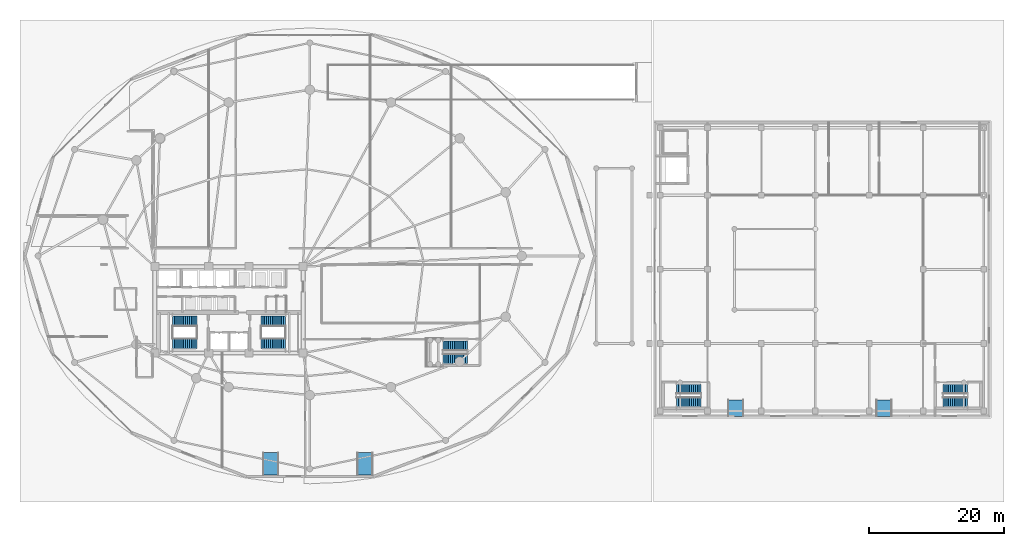
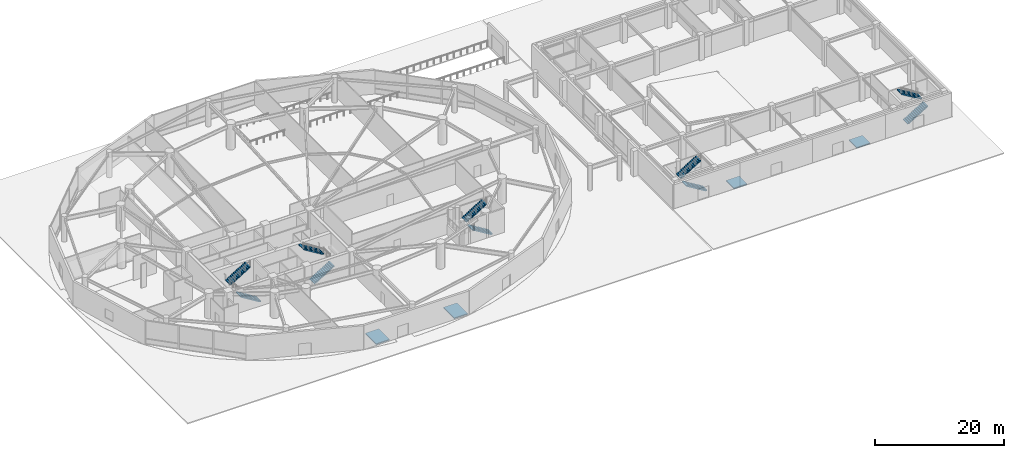
# One storey, part 27 of 35: 10 stair flights, 4 ramp flights, 9 elements without a shape of their own.
"""IFC4 building model written with IfcOpenShell, lengths in metres."""

from ifc_helpers import new_model, si_unit, direction, frame, origin, place, context, subcontext, project, spatial, polyline, outline, extrude, material, layer, layer_set, type_object, element, aggregate, save


model = new_model("IFC4")

# Units and contexts
model_context = context("Model", 3, precision=1e-05, world=origin(), true_north=direction((0.0, 1.0)))
body_context = subcontext(model_context, "Body", "Model", "MODEL_VIEW")
ifc_project = project(units=[si_unit("LENGTHUNIT", "METRE"), si_unit("AREAUNIT", "SQUARE_METRE"), si_unit("VOLUMEUNIT", "CUBIC_METRE"), si_unit("PLANEANGLEUNIT", "RADIAN"), si_unit("MASSUNIT", "GRAM", prefix="KILO")], contexts=[model_context])

# Site, building, storey
site_placement = place(None, origin())
site = spatial("IfcSite", under=ifc_project, at=site_placement, CompositionType="ELEMENT")
building_placement = place(site_placement, origin())
building = spatial("IfcBuilding", under=site, at=building_placement, Name="Kazevale Care Tower and Concert Hall", CompositionType="ELEMENT")
storey_placement = place(building_placement, origin())
storey = spatial("IfcBuildingStorey", under=building, at=storey_placement, Name="L00", CompositionType="ELEMENT", Elevation=0.0)

# Stair, stair flights
ifc_material = material(Name="Concrete C40", Category="concrete")
stair_type_1 = type_object("IfcStairType", Name="Exit Stair Assembly ST1-P", PredefinedType="HALF_TURN_STAIR", material=ifc_material)
stair_1_placement = place(storey_placement, origin())
stair_1 = element("IfcStair", 1, at=stair_1_placement, inside=storey, type_object=stair_type_1, Name="stair:L00:ST1", PredefinedType="HALF_TURN_STAIR")
ifc_layer_1 = layer(ifc_material, 0.159912109375)
ifc_layer_set_1 = layer_set([ifc_layer_1], Name="Concrete C40")
stair_flight_type_1 = type_object("IfcStairFlightType", Name="Exit Stair Flight ST1-P", PredefinedType="STRAIGHT", material=ifc_layer_set_1)
stair_flight_1_placement = place(storey_placement, frame((28.25, 25.0, 0.0), z_axis=(0.0, 0.0, 1.0), x_axis=(-1.0, 0.0, 0.0)))
stair_flight_1 = element("IfcStairFlight", 2, at=stair_flight_1_placement, type_object=stair_flight_type_1, Name="ST1-P flight 1", NumberOfRisers=14, NumberOfTreads=13, PredefinedType="STRAIGHT", RiserHeight=0.171429, TreadLength=0.28, context=body_context, shape_type="SweptSolid", body=[
    extrude(outline(polyline([(0.0, 0.0), (0.0, 0.17138671875), (0.280029296875, 0.17138671875), (0.280029296875, 0.3427734375), (0.56005859375, 0.3427734375), (0.56005859375, 0.514404296875), (0.840087890625, 0.514404296875), (0.840087890625, 0.685791015625), (1.1201171875, 0.685791015625), (1.1201171875, 0.857177734375), (1.39990234375, 0.857177734375), (1.39990234375, 1.028564453125), (1.679931640625, 1.028564453125), (1.679931640625, 1.199951171875), (1.9599609375, 1.199951171875), (1.9599609375, 1.371337890625), (2.239990234375, 1.371337890625), (2.239990234375, 1.54296875), (2.52001953125, 1.54296875), (2.52001953125, 1.71435546875), (2.800048828125, 1.71435546875), (2.800048828125, 1.8857421875), (3.080078125, 1.8857421875), (3.080078125, 2.05712890625), (3.360107421875, 2.05712890625), (3.360107421875, 2.228515625), (3.639892578125, 2.228515625), (3.639892578125, 2.39990234375), (3.639892578125, 2.041015625), (0.30615234375, 0.0), (0.0, 0.0)])), frame((0.0, 0.75, 0.0), z_axis=(0.0, -1.0, 0.0), x_axis=(1.0, 0.0, 0.0)), (0.0, 0.0, 1.0), 1.5),
])
stair_flight_2_placement = place(storey_placement, frame((24.610107421875, 28.300048828125, 2.39990234375), z_axis=(0.0, 0.0, 1.0), x_axis=(1.0, 0.0, 0.0)))
stair_flight_2 = element("IfcStairFlight", 3, at=stair_flight_2_placement, type_object=stair_flight_type_1, Name="ST1-P flight 2", NumberOfRisers=14, NumberOfTreads=13, PredefinedType="STRAIGHT", RiserHeight=0.171429, TreadLength=0.28, context=body_context, shape_type="SweptSolid", body=[
    extrude(outline(polyline([(0.0, 0.0), (0.0, 0.17138671875), (0.280029296875, 0.17138671875), (0.280029296875, 0.3427734375), (0.56005859375, 0.3427734375), (0.56005859375, 0.514404296875), (0.840087890625, 0.514404296875), (0.840087890625, 0.685791015625), (1.1201171875, 0.685791015625), (1.1201171875, 0.857177734375), (1.39990234375, 0.857177734375), (1.39990234375, 1.028564453125), (1.679931640625, 1.028564453125), (1.679931640625, 1.199951171875), (1.9599609375, 1.199951171875), (1.9599609375, 1.371337890625), (2.239990234375, 1.371337890625), (2.239990234375, 1.54296875), (2.52001953125, 1.54296875), (2.52001953125, 1.71435546875), (2.800048828125, 1.71435546875), (2.800048828125, 1.8857421875), (3.080078125, 1.8857421875), (3.080078125, 2.05712890625), (3.360107421875, 2.05712890625), (3.360107421875, 2.228515625), (3.639892578125, 2.228515625), (3.639892578125, 2.39990234375), (3.639892578125, 2.041015625), (0.30615234375, 0.0), (0.0, 0.0)])), frame((0.0, 0.75, 0.0), z_axis=(0.0, -1.0, 0.0), x_axis=(1.0, 0.0, 0.0)), (0.0, 0.0, 1.0), 1.5),
])
aggregate(stair_1, [stair_flight_1, stair_flight_2])

stair_2_placement = place(storey_placement, origin())
stair_2 = element("IfcStair", 4, at=stair_2_placement, inside=storey, type_object=stair_type_1, Name="stair:L00:ST2", PredefinedType="HALF_TURN_STAIR")
stair_flight_3_placement = place(storey_placement, frame((37.75, 25.0, 0.0), z_axis=(0.0, 0.0, 1.0), x_axis=(1.0, 0.0, 0.0)))
stair_flight_3 = element("IfcStairFlight", 5, at=stair_flight_3_placement, type_object=stair_flight_type_1, Name="ST1-P flight 1", NumberOfRisers=14, NumberOfTreads=13, PredefinedType="STRAIGHT", RiserHeight=0.171429, TreadLength=0.28, context=body_context, shape_type="SweptSolid", body=[
    extrude(outline(polyline([(0.0, 0.0), (0.0, 0.17138671875), (0.280029296875, 0.17138671875), (0.280029296875, 0.3427734375), (0.56005859375, 0.3427734375), (0.56005859375, 0.514404296875), (0.840087890625, 0.514404296875), (0.840087890625, 0.685791015625), (1.1201171875, 0.685791015625), (1.1201171875, 0.857177734375), (1.39990234375, 0.857177734375), (1.39990234375, 1.028564453125), (1.679931640625, 1.028564453125), (1.679931640625, 1.199951171875), (1.9599609375, 1.199951171875), (1.9599609375, 1.371337890625), (2.239990234375, 1.371337890625), (2.239990234375, 1.54296875), (2.52001953125, 1.54296875), (2.52001953125, 1.71435546875), (2.800048828125, 1.71435546875), (2.800048828125, 1.8857421875), (3.080078125, 1.8857421875), (3.080078125, 2.05712890625), (3.360107421875, 2.05712890625), (3.360107421875, 2.228515625), (3.639892578125, 2.228515625), (3.639892578125, 2.39990234375), (3.639892578125, 2.041015625), (0.30615234375, 0.0), (0.0, 0.0)])), frame((0.0, 0.75, 0.0), z_axis=(0.0, -1.0, 0.0), x_axis=(1.0, 0.0, 0.0)), (0.0, 0.0, 1.0), 1.5),
])
stair_flight_4_placement = place(storey_placement, frame((41.389892578125, 28.300048828125, 2.39990234375), z_axis=(0.0, 0.0, 1.0), x_axis=(-1.0, 0.0, 0.0)))
stair_flight_4 = element("IfcStairFlight", 6, at=stair_flight_4_placement, type_object=stair_flight_type_1, Name="ST1-P flight 2", NumberOfRisers=14, NumberOfTreads=13, PredefinedType="STRAIGHT", RiserHeight=0.171429, TreadLength=0.28, context=body_context, shape_type="SweptSolid", body=[
    extrude(outline(polyline([(0.0, 0.0), (0.0, 0.17138671875), (0.280029296875, 0.17138671875), (0.280029296875, 0.3427734375), (0.56005859375, 0.3427734375), (0.56005859375, 0.514404296875), (0.840087890625, 0.514404296875), (0.840087890625, 0.685791015625), (1.1201171875, 0.685791015625), (1.1201171875, 0.857177734375), (1.39990234375, 0.857177734375), (1.39990234375, 1.028564453125), (1.679931640625, 1.028564453125), (1.679931640625, 1.199951171875), (1.9599609375, 1.199951171875), (1.9599609375, 1.371337890625), (2.239990234375, 1.371337890625), (2.239990234375, 1.54296875), (2.52001953125, 1.54296875), (2.52001953125, 1.71435546875), (2.800048828125, 1.71435546875), (2.800048828125, 1.8857421875), (3.080078125, 1.8857421875), (3.080078125, 2.05712890625), (3.360107421875, 2.05712890625), (3.360107421875, 2.228515625), (3.639892578125, 2.228515625), (3.639892578125, 2.39990234375), (3.639892578125, 2.041015625), (0.30615234375, 0.0), (0.0, 0.0)])), frame((0.0, 0.75, 0.0), z_axis=(0.0, -1.0, 0.0), x_axis=(1.0, 0.0, 0.0)), (0.0, 0.0, 1.0), 1.5),
])
aggregate(stair_2, [stair_flight_3, stair_flight_4])

stair_type_2 = type_object("IfcStairType", Name="Exit Stair Assembly ST3-P", PredefinedType="HALF_TURN_STAIR", material=ifc_material)
stair_3_placement = place(storey_placement, origin())
stair_3 = element("IfcStair", 7, at=stair_3_placement, inside=storey, type_object=stair_type_2, Name="stair:L00:ST3", PredefinedType="HALF_TURN_STAIR")
ifc_layer_2 = layer(ifc_material, 0.159912109375)
ifc_layer_set_2 = layer_set([ifc_layer_2], Name="Concrete C40")
stair_flight_type_2 = type_object("IfcStairFlightType", Name="Exit Stair Flight ST3-P", PredefinedType="STRAIGHT", material=ifc_layer_set_2)
stair_flight_5_placement = place(storey_placement, frame((68.39990234375, 22.764892578125, 0.0), z_axis=(0.0, 0.0, 1.0), x_axis=(-1.0, 0.0, 0.0)))
stair_flight_5 = element("IfcStairFlight", 8, at=stair_flight_5_placement, type_object=stair_flight_type_2, Name="ST3-P flight 1", NumberOfRisers=14, NumberOfTreads=13, PredefinedType="STRAIGHT", RiserHeight=0.171429, TreadLength=0.28, context=body_context, shape_type="SweptSolid", body=[
    extrude(outline(polyline([(0.0, 0.0), (0.0, 0.17138671875), (0.280029296875, 0.17138671875), (0.280029296875, 0.3427734375), (0.56005859375, 0.3427734375), (0.56005859375, 0.514404296875), (0.840087890625, 0.514404296875), (0.840087890625, 0.685791015625), (1.1201171875, 0.685791015625), (1.1201171875, 0.857177734375), (1.39990234375, 0.857177734375), (1.39990234375, 1.028564453125), (1.679931640625, 1.028564453125), (1.679931640625, 1.199951171875), (1.9599609375, 1.199951171875), (1.9599609375, 1.371337890625), (2.239990234375, 1.371337890625), (2.239990234375, 1.54296875), (2.52001953125, 1.54296875), (2.52001953125, 1.71435546875), (2.800048828125, 1.71435546875), (2.800048828125, 1.8857421875), (3.080078125, 1.8857421875), (3.080078125, 2.05712890625), (3.360107421875, 2.05712890625), (3.360107421875, 2.228515625), (3.639892578125, 2.228515625), (3.639892578125, 2.39990234375), (3.639892578125, 2.041015625), (0.30615234375, 0.0), (0.0, 0.0)])), frame((0.0, 0.71484375, 0.0), z_axis=(0.0, -1.0, 0.0), x_axis=(1.0, 0.0, 0.0)), (0.0, 0.0, 1.0), 1.429931640625),
])
stair_flight_6_placement = place(storey_placement, frame((64.760009765625, 24.635009765625, 2.39990234375), z_axis=(0.0, 0.0, 1.0), x_axis=(1.0, 0.0, 0.0)))
stair_flight_6 = element("IfcStairFlight", 9, at=stair_flight_6_placement, type_object=stair_flight_type_2, Name="ST3-P flight 2", NumberOfRisers=14, NumberOfTreads=13, PredefinedType="STRAIGHT", RiserHeight=0.171429, TreadLength=0.28, context=body_context, shape_type="SweptSolid", body=[
    extrude(outline(polyline([(0.0, 0.0), (0.0, 0.17138671875), (0.280029296875, 0.17138671875), (0.280029296875, 0.3427734375), (0.56005859375, 0.3427734375), (0.56005859375, 0.514404296875), (0.840087890625, 0.514404296875), (0.840087890625, 0.685791015625), (1.1201171875, 0.685791015625), (1.1201171875, 0.857177734375), (1.39990234375, 0.857177734375), (1.39990234375, 1.028564453125), (1.679931640625, 1.028564453125), (1.679931640625, 1.199951171875), (1.9599609375, 1.199951171875), (1.9599609375, 1.371337890625), (2.239990234375, 1.371337890625), (2.239990234375, 1.54296875), (2.52001953125, 1.54296875), (2.52001953125, 1.71435546875), (2.800048828125, 1.71435546875), (2.800048828125, 1.8857421875), (3.080078125, 1.8857421875), (3.080078125, 2.05712890625), (3.360107421875, 2.05712890625), (3.360107421875, 2.228515625), (3.639892578125, 2.228515625), (3.639892578125, 2.39990234375), (3.639892578125, 2.041015625), (0.30615234375, 0.0), (0.0, 0.0)])), frame((0.0, 0.71484375, 0.0), z_axis=(0.0, -1.0, 0.0), x_axis=(1.0, 0.0, 0.0)), (0.0, 0.0, 1.0), 1.429931640625),
])
aggregate(stair_3, [stair_flight_5, stair_flight_6])

stair_type_3 = type_object("IfcStairType", Name="Exit Stair Assembly ST4-H", PredefinedType="HALF_TURN_STAIR", material=ifc_material)
stair_4_placement = place(storey_placement, origin())
stair_4 = element("IfcStair", 10, at=stair_4_placement, inside=storey, type_object=stair_type_3, Name="stair:L00:ST4", PredefinedType="HALF_TURN_STAIR")
ifc_layer_3 = layer(ifc_material, 0.159912109375)
ifc_layer_set_3 = layer_set([ifc_layer_3], Name="Concrete C40")
stair_flight_type_3 = type_object("IfcStairFlightType", Name="Exit Stair Flight ST4-H", PredefinedType="STRAIGHT", material=ifc_layer_set_3)
stair_flight_7_placement = place(storey_placement, frame((103.050048828125, 16.35498046875, 0.0), z_axis=(0.0, 0.0, 1.0), x_axis=(-1.0, 0.0, 0.0)))
stair_flight_7 = element("IfcStairFlight", 11, at=stair_flight_7_placement, type_object=stair_flight_type_3, Name="ST4-H flight 1", NumberOfRisers=14, NumberOfTreads=13, PredefinedType="STRAIGHT", RiserHeight=0.171429, TreadLength=0.28, context=body_context, shape_type="SweptSolid", body=[
    extrude(outline(polyline([(0.0, 0.0), (0.0, 0.17138671875), (0.280029296875, 0.17138671875), (0.280029296875, 0.3427734375), (0.56005859375, 0.3427734375), (0.56005859375, 0.514404296875), (0.840087890625, 0.514404296875), (0.840087890625, 0.685791015625), (1.1201171875, 0.685791015625), (1.1201171875, 0.857177734375), (1.39990234375, 0.857177734375), (1.39990234375, 1.028564453125), (1.679931640625, 1.028564453125), (1.679931640625, 1.199951171875), (1.9599609375, 1.199951171875), (1.9599609375, 1.371337890625), (2.239990234375, 1.371337890625), (2.239990234375, 1.54296875), (2.52001953125, 1.54296875), (2.52001953125, 1.71435546875), (2.800048828125, 1.71435546875), (2.800048828125, 1.8857421875), (3.080078125, 1.8857421875), (3.080078125, 2.05712890625), (3.360107421875, 2.05712890625), (3.360107421875, 2.228515625), (3.639892578125, 2.228515625), (3.639892578125, 2.39990234375), (3.639892578125, 2.041015625), (0.30615234375, 0.0), (0.0, 0.0)])), frame((0.0, 0.705078125, 0.0), z_axis=(0.0, -1.0, 0.0), x_axis=(1.0, 0.0, 0.0)), (0.0, 0.0, 1.0), 1.409912109375),
])
stair_flight_8_placement = place(storey_placement, frame((99.409912109375, 18.2451171875, 2.39990234375), z_axis=(0.0, 0.0, 1.0), x_axis=(1.0, 0.0, 0.0)))
stair_flight_8 = element("IfcStairFlight", 12, at=stair_flight_8_placement, type_object=stair_flight_type_3, Name="ST4-H flight 2", NumberOfRisers=14, NumberOfTreads=13, PredefinedType="STRAIGHT", RiserHeight=0.171429, TreadLength=0.28, context=body_context, shape_type="SweptSolid", body=[
    extrude(outline(polyline([(0.0, 0.0), (0.0, 0.17138671875), (0.280029296875, 0.17138671875), (0.280029296875, 0.3427734375), (0.56005859375, 0.3427734375), (0.56005859375, 0.514404296875), (0.840087890625, 0.514404296875), (0.840087890625, 0.685791015625), (1.1201171875, 0.685791015625), (1.1201171875, 0.857177734375), (1.39990234375, 0.857177734375), (1.39990234375, 1.028564453125), (1.679931640625, 1.028564453125), (1.679931640625, 1.199951171875), (1.9599609375, 1.199951171875), (1.9599609375, 1.371337890625), (2.239990234375, 1.371337890625), (2.239990234375, 1.54296875), (2.52001953125, 1.54296875), (2.52001953125, 1.71435546875), (2.800048828125, 1.71435546875), (2.800048828125, 1.8857421875), (3.080078125, 1.8857421875), (3.080078125, 2.05712890625), (3.360107421875, 2.05712890625), (3.360107421875, 2.228515625), (3.639892578125, 2.228515625), (3.639892578125, 2.39990234375), (3.639892578125, 2.041015625), (0.30615234375, 0.0), (0.0, 0.0)])), frame((0.0, 0.705078125, 0.0), z_axis=(0.0, -1.0, 0.0), x_axis=(1.0, 0.0, 0.0)), (0.0, 0.0, 1.0), 1.409912109375),
])
aggregate(stair_4, [stair_flight_7, stair_flight_8])

stair_5_placement = place(storey_placement, origin())
stair_5 = element("IfcStair", 13, at=stair_5_placement, inside=storey, type_object=stair_type_3, Name="stair:L00:ST5", PredefinedType="HALF_TURN_STAIR")
stair_flight_9_placement = place(storey_placement, frame((138.949951171875, 16.35498046875, 0.0), z_axis=(0.0, 0.0, 1.0), x_axis=(1.0, 0.0, 0.0)))
stair_flight_9 = element("IfcStairFlight", 14, at=stair_flight_9_placement, type_object=stair_flight_type_3, Name="ST4-H flight 1", NumberOfRisers=14, NumberOfTreads=13, PredefinedType="STRAIGHT", RiserHeight=0.171429, TreadLength=0.28, context=body_context, shape_type="SweptSolid", body=[
    extrude(outline(polyline([(0.0, 0.0), (0.0, 0.17138671875), (0.280029296875, 0.17138671875), (0.280029296875, 0.3427734375), (0.56005859375, 0.3427734375), (0.56005859375, 0.514404296875), (0.840087890625, 0.514404296875), (0.840087890625, 0.685791015625), (1.1201171875, 0.685791015625), (1.1201171875, 0.857177734375), (1.39990234375, 0.857177734375), (1.39990234375, 1.028564453125), (1.679931640625, 1.028564453125), (1.679931640625, 1.199951171875), (1.9599609375, 1.199951171875), (1.9599609375, 1.371337890625), (2.239990234375, 1.371337890625), (2.239990234375, 1.54296875), (2.52001953125, 1.54296875), (2.52001953125, 1.71435546875), (2.800048828125, 1.71435546875), (2.800048828125, 1.8857421875), (3.080078125, 1.8857421875), (3.080078125, 2.05712890625), (3.360107421875, 2.05712890625), (3.360107421875, 2.228515625), (3.639892578125, 2.228515625), (3.639892578125, 2.39990234375), (3.639892578125, 2.041015625), (0.30615234375, 0.0), (0.0, 0.0)])), frame((0.0, 0.705078125, 0.0), z_axis=(0.0, -1.0, 0.0), x_axis=(1.0, 0.0, 0.0)), (0.0, 0.0, 1.0), 1.409912109375),
])
stair_flight_10_placement = place(storey_placement, frame((142.590087890625, 18.2451171875, 2.39990234375), z_axis=(0.0, 0.0, 1.0), x_axis=(-1.0, 0.0, 0.0)))
stair_flight_10 = element("IfcStairFlight", 15, at=stair_flight_10_placement, type_object=stair_flight_type_3, Name="ST4-H flight 2", NumberOfRisers=14, NumberOfTreads=13, PredefinedType="STRAIGHT", RiserHeight=0.171429, TreadLength=0.28, context=body_context, shape_type="SweptSolid", body=[
    extrude(outline(polyline([(0.0, 0.0), (0.0, 0.17138671875), (0.280029296875, 0.17138671875), (0.280029296875, 0.3427734375), (0.56005859375, 0.3427734375), (0.56005859375, 0.514404296875), (0.840087890625, 0.514404296875), (0.840087890625, 0.685791015625), (1.1201171875, 0.685791015625), (1.1201171875, 0.857177734375), (1.39990234375, 0.857177734375), (1.39990234375, 1.028564453125), (1.679931640625, 1.028564453125), (1.679931640625, 1.199951171875), (1.9599609375, 1.199951171875), (1.9599609375, 1.371337890625), (2.239990234375, 1.371337890625), (2.239990234375, 1.54296875), (2.52001953125, 1.54296875), (2.52001953125, 1.71435546875), (2.800048828125, 1.71435546875), (2.800048828125, 1.8857421875), (3.080078125, 1.8857421875), (3.080078125, 2.05712890625), (3.360107421875, 2.05712890625), (3.360107421875, 2.228515625), (3.639892578125, 2.228515625), (3.639892578125, 2.39990234375), (3.639892578125, 2.041015625), (0.30615234375, 0.0), (0.0, 0.0)])), frame((0.0, 0.705078125, 0.0), z_axis=(0.0, -1.0, 0.0), x_axis=(1.0, 0.0, 0.0)), (0.0, 0.0, 1.0), 1.409912109375),
])
aggregate(stair_5, [stair_flight_9, stair_flight_10])

# Ramp, ramp flight
ramp_type = type_object("IfcRampType", Name="Accessible Entrance Ramp 1-in-12", PredefinedType="STRAIGHT_RUN_RAMP", material=ifc_material)
ramp_1_placement = place(storey_placement, origin())
ramp_1 = element("IfcRamp", 16, at=ramp_1_placement, inside=storey, type_object=ramp_type, Name="ramp:L00:ped1", PredefinedType="STRAIGHT_RUN_RAMP")
ifc_layer_4 = layer(ifc_material, 0.199951171875)
ifc_layer_set_4 = layer_set([ifc_layer_4], Name="Concrete C40")
ramp_flight_type = type_object("IfcRampFlightType", Name="Accessible Ramp Flight Slab 200", PredefinedType="STRAIGHT", material=ifc_layer_set_4)
ramp_flight_1_placement = place(storey_placement, frame((38.0, 5.5, -0.02001953125), z_axis=(0.0, -0.006066323236, 0.999981599692), x_axis=(0.0, 0.999981599692, 0.006066323236)))
ramp_flight_1 = element("IfcRampFlight", 17, at=ramp_flight_1_placement, type_object=ramp_flight_type, Name="ramp:L00:ped1/F1", PredefinedType="STRAIGHT", context=body_context, shape_type="SweptSolid", body=[
    extrude(outline(polyline([(0.0, 0.0), (3.300048828125, 0.0), (3.300048828125, -2.39990234375), (0.0, -2.39990234375), (0.0, 0.0)])), origin(), (0.0, 0.0, -1.0), 0.199951171875),
])
aggregate(ramp_1, [ramp_flight_1])

ramp_2_placement = place(storey_placement, origin())
ramp_2 = element("IfcRamp", 18, at=ramp_2_placement, inside=storey, type_object=ramp_type, Name="ramp:L00:ped2", PredefinedType="STRAIGHT_RUN_RAMP")
ramp_flight_2_placement = place(storey_placement, frame((52.0, 5.5, -0.02001953125), z_axis=(0.0, -0.006066323236, 0.999981599692), x_axis=(0.0, 0.999981599692, 0.006066323236)))
ramp_flight_2 = element("IfcRampFlight", 19, at=ramp_flight_2_placement, type_object=ramp_flight_type, Name="ramp:L00:ped2/F1", PredefinedType="STRAIGHT", context=body_context, shape_type="SweptSolid", body=[
    extrude(outline(polyline([(0.0, 0.0), (3.300048828125, 0.0), (3.300048828125, -2.39990234375), (0.0, -2.39990234375), (0.0, 0.0)])), origin(), (0.0, 0.0, -1.0), 0.199951171875),
])
aggregate(ramp_2, [ramp_flight_2])

ramp_3_placement = place(storey_placement, origin())
ramp_3 = element("IfcRamp", 20, at=ramp_3_placement, inside=storey, type_object=ramp_type, Name="ramp:L00:ped3", PredefinedType="STRAIGHT_RUN_RAMP")
ramp_flight_3_placement = place(storey_placement, frame((107.0, 14.199951171875, -0.02001953125), z_axis=(0.0, -0.00834067213, 0.999965215989), x_axis=(0.0, 0.999965215989, 0.00834067213)))
ramp_flight_3 = element("IfcRampFlight", 21, at=ramp_flight_3_placement, type_object=ramp_flight_type, Name="ramp:L00:ped3/F1", PredefinedType="STRAIGHT", context=body_context, shape_type="SweptSolid", body=[
    extrude(outline(polyline([(0.0, 0.0), (2.400146484375, 0.0), (2.400146484375, -2.39990234375), (0.0, -2.39990234375), (0.0, 0.0)])), origin(), (0.0, 0.0, -1.0), 0.199951171875),
])
aggregate(ramp_3, [ramp_flight_3])

ramp_4_placement = place(storey_placement, origin())
ramp_4 = element("IfcRamp", 22, at=ramp_4_placement, inside=storey, type_object=ramp_type, Name="ramp:L00:ped4", PredefinedType="STRAIGHT_RUN_RAMP")
ramp_flight_4_placement = place(storey_placement, frame((129.0, 14.199951171875, -0.02001953125), z_axis=(0.0, -0.00834067213, 0.999965215989), x_axis=(0.0, 0.999965215989, 0.00834067213)))
ramp_flight_4 = element("IfcRampFlight", 23, at=ramp_flight_4_placement, type_object=ramp_flight_type, Name="ramp:L00:ped4/F1", PredefinedType="STRAIGHT", context=body_context, shape_type="SweptSolid", body=[
    extrude(outline(polyline([(0.0, 0.0), (2.400146484375, 0.0), (2.400146484375, -2.39990234375), (0.0, -2.39990234375), (0.0, 0.0)])), origin(), (0.0, 0.0, -1.0), 0.199951171875),
])
aggregate(ramp_4, [ramp_flight_4])

save(model, "model.ifc")
